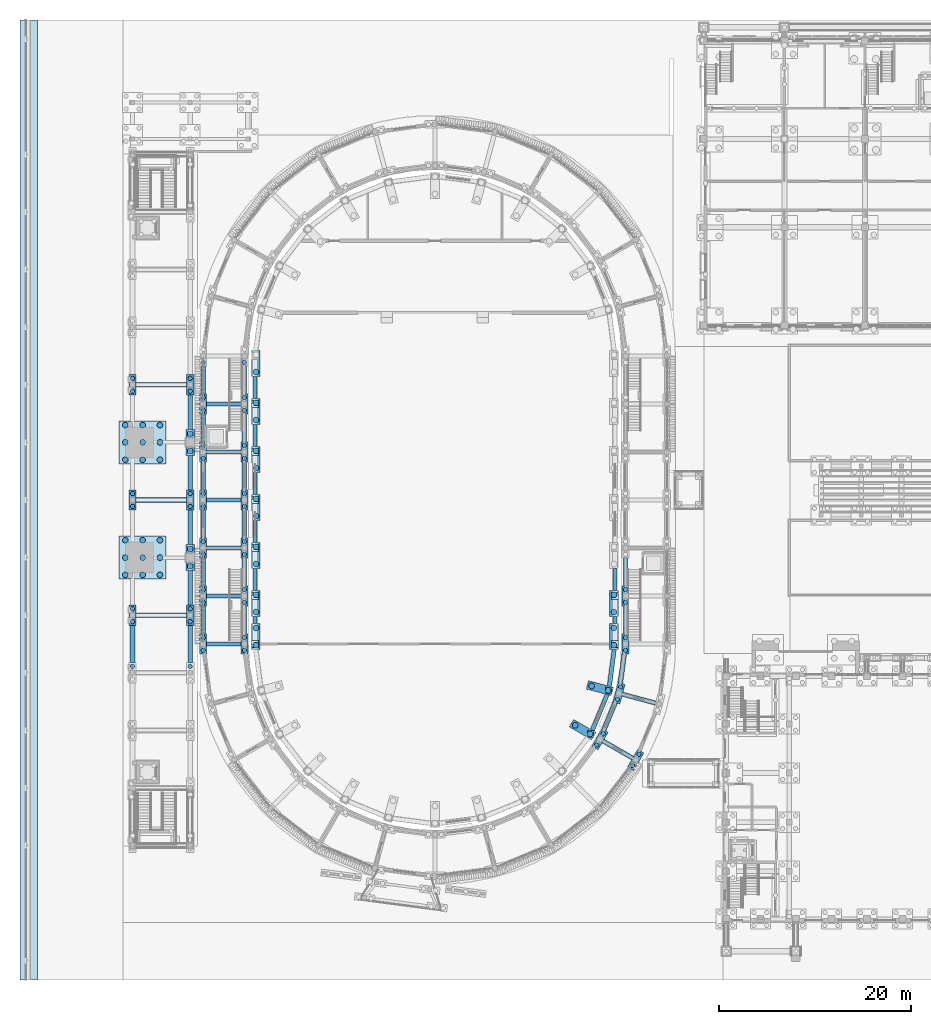
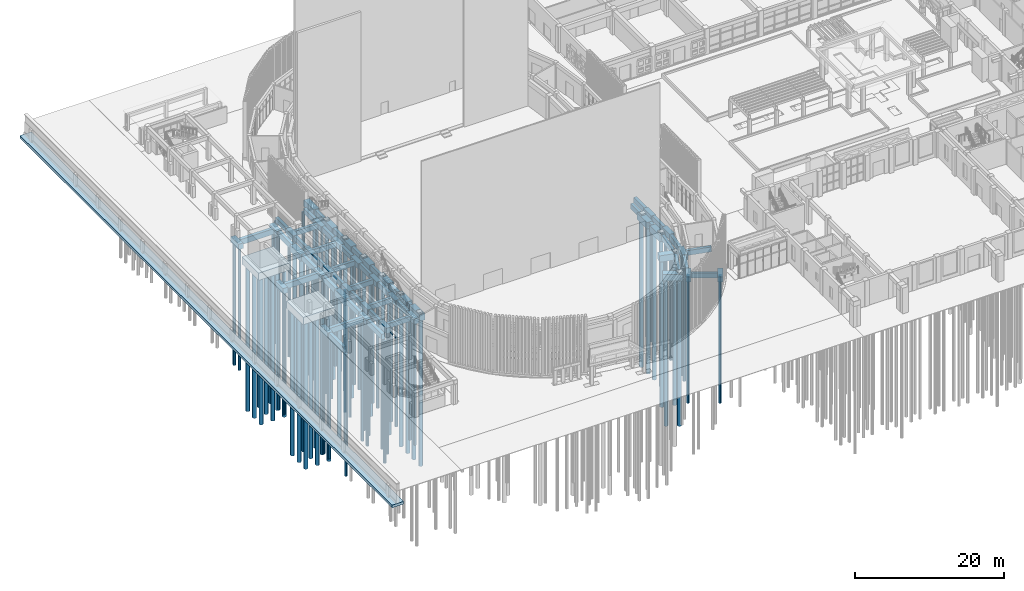
# One storey, part 2 of 112: 93 piles, 92 footings.
"""IFC4 building model written with IfcOpenShell, lengths in metres."""

from ifc_helpers import new_model, si_unit, direction, frame, origin, origin_2d, place, context, subcontext, project, spatial, rectangle, circle, extrude, material, material_profile, profile_set, type_object, element, save


model = new_model("IFC4")

# Units and contexts
model_context = context("Model", 3, precision=1e-05, world=origin(), true_north=direction((0.0, 1.0)))
body_context = subcontext(model_context, "Body", "Model", "MODEL_VIEW")
ifc_project = project(units=[si_unit("LENGTHUNIT", "METRE"), si_unit("AREAUNIT", "SQUARE_METRE"), si_unit("VOLUMEUNIT", "CUBIC_METRE"), si_unit("PLANEANGLEUNIT", "RADIAN"), si_unit("MASSUNIT", "GRAM", prefix="KILO")], contexts=[model_context])

# Site, building, storey
site_placement = place(None, origin())
site = spatial("IfcSite", under=ifc_project, at=site_placement, CompositionType="ELEMENT")
building_placement = place(site_placement, origin())
building = spatial("IfcBuilding", under=site, at=building_placement, Name="Wasatch Bagh Community Centre", CompositionType="ELEMENT")
storey_placement = place(building_placement, origin())
storey = spatial("IfcBuildingStorey", under=building, at=storey_placement, Name="L00", CompositionType="ELEMENT", Elevation=0.0)

# Footings
ifc_material_1 = material(Name="Concrete C30", Category="concrete")
footing_type_1 = type_object("IfcFootingType", Name="CP-F2", PredefinedType="PILE_CAP", material=ifc_material_1)
for number, where, z_axis, x_axis, name in (
    (1, (5.550048828125, 44.0, -1.39990234375), (0.0, 0.0, 1.0), (-1.0, 0.0, 0.0), "Pishtaq pier 1 cap"),
    (2, (5.550048828125, 56.0, -1.39990234375), (0.0, 0.0, 1.0), (-1.0, 0.0, 0.0), "Pishtaq pier 2 cap"),
):
    element("IfcFooting", number, at=place(storey_placement, frame(where, z_axis=z_axis, x_axis=x_axis)), inside=storey, type_object=footing_type_1, Name=name, PredefinedType="PILE_CAP", context=body_context, shape_type="SweptSolid", body=[
        extrude(rectangle(XDim=4.89990234375, YDim=4.5, at=origin_2d()), origin(), (0.0, 0.0, 1.0), 1.199951171875),
    ])
ifc_material_2 = material(Name="Concrete C35", Category="concrete")
footing_type_2 = type_object("IfcFootingType", Name="FD-GB-B", PredefinedType="FOOTING_BEAM", material=ifc_material_2)
for number, where, z_axis, x_axis, name in (
    (3, (55.85009765625, 37.5, -1.0), (0.0, 0.0, 1.0), (0.0, 1.0, 0.0), "GB ground beam 73"),
    (4, (55.85009765625, 42.5, -1.0), (0.0, 0.0, 1.0), (0.0, 1.0, 0.0), "GB ground beam 76"),
):
    element("IfcFooting", number, at=place(storey_placement, frame(where, z_axis=z_axis, x_axis=x_axis)), inside=storey, type_object=footing_type_2, Name=name, PredefinedType="FOOTING_BEAM", context=body_context, shape_type="SweptSolid", body=[
        extrude(rectangle(XDim=2.89990234375, YDim=0.449951171875, at=origin_2d()), origin(), (0.0, 0.0, 1.0), 0.800048828125),
    ])
for number, where, z_axis, x_axis, name in (
    (5, (55.052490234375, 24.0, -1.0), (0.0, 0.0, 1.0), (0.866025403767, -0.50000000003, 0.0), "GB ground beam 115"),
    (6, (57.25048828125, 29.305908203125, -1.0), (0.0, 0.0, 1.0), (0.965925826285, -0.258819045119, 0.0), "GB ground beam 116"),
):
    element("IfcFooting", number, at=place(storey_placement, frame(where, z_axis=z_axis, x_axis=x_axis)), inside=storey, type_object=footing_type_2, Name=name, PredefinedType="FOOTING_BEAM", context=body_context, shape_type="SweptSolid", body=[
        extrude(rectangle(XDim=3.550048828125, YDim=0.449951171875, at=origin_2d()), origin(), (0.0, 0.0, 1.0), 0.800048828125),
    ])
footing_1_placement = place(storey_placement, frame((16.14990234375, 37.5, -1.0), z_axis=(0.0, 0.0, 1.0), x_axis=(0.0, 1.0, 0.0)))
element("IfcFooting", 7, at=footing_1_placement, inside=storey, type_object=footing_type_2, Name="GB ground beam 132", PredefinedType="FOOTING_BEAM", context=body_context, shape_type="SweptSolid", body=[
    extrude(rectangle(XDim=2.89990234375, YDim=0.449951171875, at=origin_2d()), origin(), (0.0, 0.0, 1.0), 0.800048828125),
])
footing_2_placement = place(storey_placement, frame((14.0, 35.0, -1.0), z_axis=(0.0, 0.0, 1.0), x_axis=(-1.0, 0.0, 0.0)))
element("IfcFooting", 8, at=footing_2_placement, inside=storey, type_object=footing_type_2, Name="GB ground beam 133", PredefinedType="FOOTING_BEAM", context=body_context, shape_type="SweptSolid", body=[
    extrude(rectangle(XDim=3.550048828125, YDim=0.449951171875, at=origin_2d()), origin(), (0.0, 0.0, 1.0), 0.800048828125),
])
footing_3_placement = place(storey_placement, frame((16.14990234375, 42.5, -1.0), z_axis=(0.0, 0.0, 1.0), x_axis=(0.0, 1.0, 0.0)))
element("IfcFooting", 9, at=footing_3_placement, inside=storey, type_object=footing_type_2, Name="GB ground beam 134", PredefinedType="FOOTING_BEAM", context=body_context, shape_type="SweptSolid", body=[
    extrude(rectangle(XDim=2.89990234375, YDim=0.449951171875, at=origin_2d()), origin(), (0.0, 0.0, 1.0), 0.800048828125),
])
footing_4_placement = place(storey_placement, frame((14.0, 40.0, -1.0), z_axis=(0.0, 0.0, 1.0), x_axis=(-1.0, 0.0, 0.0)))
element("IfcFooting", 10, at=footing_4_placement, inside=storey, type_object=footing_type_2, Name="GB ground beam 135", PredefinedType="FOOTING_BEAM", context=body_context, shape_type="SweptSolid", body=[
    extrude(rectangle(XDim=3.550048828125, YDim=0.449951171875, at=origin_2d()), origin(), (0.0, 0.0, 1.0), 0.800048828125),
])
footing_5_placement = place(storey_placement, frame((16.14990234375, 47.5, -1.0), z_axis=(0.0, 0.0, 1.0), x_axis=(0.0, 1.0, 0.0)))
element("IfcFooting", 11, at=footing_5_placement, inside=storey, type_object=footing_type_2, Name="GB ground beam 136", PredefinedType="FOOTING_BEAM", context=body_context, shape_type="SweptSolid", body=[
    extrude(rectangle(XDim=2.89990234375, YDim=0.449951171875, at=origin_2d()), origin(), (0.0, 0.0, 1.0), 0.800048828125),
])
footing_6_placement = place(storey_placement, frame((14.0, 45.0, -1.0), z_axis=(0.0, 0.0, 1.0), x_axis=(-1.0, 0.0, 0.0)))
element("IfcFooting", 12, at=footing_6_placement, inside=storey, type_object=footing_type_2, Name="GB ground beam 137", PredefinedType="FOOTING_BEAM", context=body_context, shape_type="SweptSolid", body=[
    extrude(rectangle(XDim=3.550048828125, YDim=0.449951171875, at=origin_2d()), origin(), (0.0, 0.0, 1.0), 0.800048828125),
])
footing_7_placement = place(storey_placement, frame((16.14990234375, 52.5, -1.0), z_axis=(0.0, 0.0, 1.0), x_axis=(0.0, 1.0, 0.0)))
element("IfcFooting", 13, at=footing_7_placement, inside=storey, type_object=footing_type_2, Name="GB ground beam 138", PredefinedType="FOOTING_BEAM", context=body_context, shape_type="SweptSolid", body=[
    extrude(rectangle(XDim=2.89990234375, YDim=0.449951171875, at=origin_2d()), origin(), (0.0, 0.0, 1.0), 0.800048828125),
])
footing_8_placement = place(storey_placement, frame((14.0, 50.0, -1.0), z_axis=(0.0, 0.0, 1.0), x_axis=(-1.0, 0.0, 0.0)))
element("IfcFooting", 14, at=footing_8_placement, inside=storey, type_object=footing_type_2, Name="GB ground beam 139", PredefinedType="FOOTING_BEAM", context=body_context, shape_type="SweptSolid", body=[
    extrude(rectangle(XDim=3.550048828125, YDim=0.449951171875, at=origin_2d()), origin(), (0.0, 0.0, 1.0), 0.800048828125),
])
footing_9_placement = place(storey_placement, frame((16.14990234375, 57.5, -1.0), z_axis=(0.0, 0.0, 1.0), x_axis=(0.0, 1.0, 0.0)))
element("IfcFooting", 15, at=footing_9_placement, inside=storey, type_object=footing_type_2, Name="GB ground beam 140", PredefinedType="FOOTING_BEAM", context=body_context, shape_type="SweptSolid", body=[
    extrude(rectangle(XDim=2.89990234375, YDim=0.449951171875, at=origin_2d()), origin(), (0.0, 0.0, 1.0), 0.800048828125),
])
footing_10_placement = place(storey_placement, frame((14.0, 55.0, -1.0), z_axis=(0.0, 0.0, 1.0), x_axis=(-1.0, 0.0, 0.0)))
element("IfcFooting", 16, at=footing_10_placement, inside=storey, type_object=footing_type_2, Name="GB ground beam 141", PredefinedType="FOOTING_BEAM", context=body_context, shape_type="SweptSolid", body=[
    extrude(rectangle(XDim=3.550048828125, YDim=0.449951171875, at=origin_2d()), origin(), (0.0, 0.0, 1.0), 0.800048828125),
])
footing_11_placement = place(storey_placement, frame((16.14990234375, 62.5, -1.0), z_axis=(0.0, 0.0, 1.0), x_axis=(0.0, 1.0, 0.0)))
element("IfcFooting", 17, at=footing_11_placement, inside=storey, type_object=footing_type_2, Name="GB ground beam 142", PredefinedType="FOOTING_BEAM", context=body_context, shape_type="SweptSolid", body=[
    extrude(rectangle(XDim=2.89990234375, YDim=0.449951171875, at=origin_2d()), origin(), (0.0, 0.0, 1.0), 0.800048828125),
])
footing_12_placement = place(storey_placement, frame((14.0, 60.0, -1.0), z_axis=(0.0, 0.0, 1.0), x_axis=(-1.0, 0.0, 0.0)))
element("IfcFooting", 18, at=footing_12_placement, inside=storey, type_object=footing_type_2, Name="GB ground beam 143", PredefinedType="FOOTING_BEAM", context=body_context, shape_type="SweptSolid", body=[
    extrude(rectangle(XDim=3.550048828125, YDim=0.449951171875, at=origin_2d()), origin(), (0.0, 0.0, 1.0), 0.800048828125),
])
for number, where, z_axis, x_axis, name in (
    (19, (11.85009765625, 37.5, -1.0), (0.0, 0.0, 1.0), (0.0, 1.0, 0.0), "GB ground beam 151"),
    (20, (11.85009765625, 42.5, -1.0), (0.0, 0.0, 1.0), (0.0, 1.0, 0.0), "GB ground beam 152"),
    (21, (11.85009765625, 47.5, -1.0), (0.0, 0.0, 1.0), (0.0, 1.0, 0.0), "GB ground beam 153"),
    (22, (11.85009765625, 52.5, -1.0), (0.0, 0.0, 1.0), (0.0, 1.0, 0.0), "GB ground beam 154"),
    (23, (11.85009765625, 57.5, -1.0), (0.0, 0.0, 1.0), (0.0, 1.0, 0.0), "GB ground beam 155"),
    (24, (11.85009765625, 62.5, -1.0), (0.0, 0.0, 1.0), (0.0, 1.0, 0.0), "GB ground beam 156"),
):
    element("IfcFooting", number, at=place(storey_placement, frame(where, z_axis=z_axis, x_axis=x_axis)), inside=storey, type_object=footing_type_2, Name=name, PredefinedType="FOOTING_BEAM", context=body_context, shape_type="SweptSolid", body=[
        extrude(rectangle(XDim=2.89990234375, YDim=0.449951171875, at=origin_2d()), origin(), (0.0, 0.0, 1.0), 0.800048828125),
    ])
footing_13_placement = place(storey_placement, frame((54.75, 37.5, -1.0), z_axis=(0.0, 0.0, 1.0), x_axis=(0.0, 1.0, 0.0)))
element("IfcFooting", 25, at=footing_13_placement, inside=storey, type_object=footing_type_2, Name="GB ground beam 224", PredefinedType="FOOTING_BEAM", context=body_context, shape_type="SweptSolid", body=[
    extrude(rectangle(XDim=0.75, YDim=0.449951171875, at=origin_2d()), origin(), (0.0, 0.0, 1.0), 0.800048828125),
])
footing_14_placement = place(storey_placement, frame((54.42236328125, 32.51220703125, -1.0), z_axis=(0.0, 0.0, 1.0), x_axis=(-0.130526192203, -0.991444861376, 0.0)))
element("IfcFooting", 26, at=footing_14_placement, inside=storey, type_object=footing_type_2, Name="GB ground beam 225", PredefinedType="FOOTING_BEAM", context=body_context, shape_type="SweptSolid", body=[
    extrude(rectangle(XDim=3.85888671875, YDim=0.449951171875, at=origin_2d()), origin(), (0.0, 0.0, 1.0), 0.800048828125),
])
footing_15_placement = place(storey_placement, frame((54.75, 41.72509765625, -1.0), z_axis=(0.0, 0.0, 1.0), x_axis=(0.0, 1.0, 0.0)))
element("IfcFooting", 27, at=footing_15_placement, inside=storey, type_object=footing_type_2, Name="GB ground beam 226", PredefinedType="FOOTING_BEAM", context=body_context, shape_type="SweptSolid", body=[
    extrude(rectangle(XDim=2.300048828125, YDim=0.449951171875, at=origin_2d()), origin(), (0.0, 0.0, 1.0), 0.800048828125),
])
footing_16_placement = place(storey_placement, frame((53.168212890625, 27.87060546875, -1.0), z_axis=(0.0, 0.0, 1.0), x_axis=(0.382683432397, 0.923879532498, 0.0)))
element("IfcFooting", 28, at=footing_16_placement, inside=storey, type_object=footing_type_2, Name="GB ground beam 245", PredefinedType="FOOTING_BEAM", context=body_context, shape_type="SweptSolid", body=[
    extrude(rectangle(XDim=4.024658203125, YDim=0.449951171875, at=origin_2d()), origin(), (0.0, 0.0, 1.0), 0.800048828125),
])
footing_17_placement = place(storey_placement, frame((17.25, 37.5, -1.0), z_axis=(0.0, 0.0, 1.0), x_axis=(0.0, 1.0, 0.0)))
element("IfcFooting", 29, at=footing_17_placement, inside=storey, type_object=footing_type_2, Name="GB ground beam 254", PredefinedType="FOOTING_BEAM", context=body_context, shape_type="SweptSolid", body=[
    extrude(rectangle(XDim=0.75, YDim=0.449951171875, at=origin_2d()), origin(), (0.0, 0.0, 1.0), 0.800048828125),
])
for number, where, z_axis, x_axis, name in (
    (30, (17.25, 41.72509765625, -1.0), (0.0, 0.0, 1.0), (0.0, 1.0, 0.0), "GB ground beam 255"),
    (31, (17.25, 46.72509765625, -1.0), (0.0, 0.0, 1.0), (0.0, 1.0, 0.0), "GB ground beam 256"),
    (32, (17.25, 51.72509765625, -1.0), (0.0, 0.0, 1.0), (0.0, 1.0, 0.0), "GB ground beam 257"),
    (33, (17.25, 56.72509765625, -1.0), (0.0, 0.0, 1.0), (0.0, 1.0, 0.0), "GB ground beam 258"),
    (34, (17.25, 61.72509765625, -1.0), (0.0, 0.0, 1.0), (0.0, 1.0, 0.0), "GB ground beam 259"),
):
    element("IfcFooting", number, at=place(storey_placement, frame(where, z_axis=z_axis, x_axis=x_axis)), inside=storey, type_object=footing_type_2, Name=name, PredefinedType="FOOTING_BEAM", context=body_context, shape_type="SweptSolid", body=[
        extrude(rectangle(XDim=2.300048828125, YDim=0.449951171875, at=origin_2d()), origin(), (0.0, 0.0, 1.0), 0.800048828125),
    ])
footing_type_3 = type_object("IfcFootingType", Name="FD-GB-C", PredefinedType="FOOTING_BEAM", material=ifc_material_2)
for number, where, z_axis, x_axis, name in (
    (35, (10.5, 40.85009765625, -1.099853515625), (0.0, 0.0, 1.0), (0.0, -1.0, 0.0), "GB ground beam 13"),
    (36, (10.5, 47.14990234375, -1.099853515625), (0.0, 0.0, 1.0), (0.0, 1.0, 0.0), "GB ground beam 14"),
    (37, (10.5, 52.85009765625, -1.099853515625), (0.0, 0.0, 1.0), (0.0, -1.0, 0.0), "GB ground beam 15"),
    (38, (10.5, 59.14990234375, -1.099853515625), (0.0, 0.0, 1.0), (0.0, 1.0, 0.0), "GB ground beam 16"),
):
    element("IfcFooting", number, at=place(storey_placement, frame(where, z_axis=z_axis, x_axis=x_axis)), inside=storey, type_object=footing_type_3, Name=name, PredefinedType="FOOTING_BEAM", context=body_context, shape_type="SweptSolid", body=[
        extrude(rectangle(XDim=3.60009765625, YDim=0.5, at=origin_2d()), origin(), (0.0, 0.0, 1.0), 0.89990234375),
    ])
for number, where, z_axis, x_axis, name in (
    (39, (4.5, 35.0, -1.099853515625), (0.0, 0.0, 1.0), (0.0, 1.0, 0.0), "GB ground beam 25"),
    (40, (10.5, 35.0, -1.099853515625), (0.0, 0.0, 1.0), (0.0, 1.0, 0.0), "GB ground beam 26"),
):
    element("IfcFooting", number, at=place(storey_placement, frame(where, z_axis=z_axis, x_axis=x_axis)), inside=storey, type_object=footing_type_3, Name=name, PredefinedType="FOOTING_BEAM", context=body_context, shape_type="SweptSolid", body=[
        extrude(rectangle(XDim=3.89990234375, YDim=0.5, at=origin_2d()), origin(), (0.0, 0.0, 1.0), 0.89990234375),
    ])
for number, where, z_axis, x_axis, name in (
    (41, (7.5, 38.0, -1.099853515625), (0.0, 0.0, 1.0), (1.0, 0.0, 0.0), "GB ground beam 27"),
    (42, (7.5, 50.0, -1.099853515625), (0.0, 0.0, 1.0), (1.0, 0.0, 0.0), "GB ground beam 28"),
    (43, (7.5, 62.0, -1.099853515625), (0.0, 0.0, 1.0), (1.0, 0.0, 0.0), "GB ground beam 29"),
):
    element("IfcFooting", number, at=place(storey_placement, frame(where, z_axis=z_axis, x_axis=x_axis)), inside=storey, type_object=footing_type_3, Name=name, PredefinedType="FOOTING_BEAM", context=body_context, shape_type="SweptSolid", body=[
        extrude(rectangle(XDim=5.25, YDim=0.5, at=origin_2d()), origin(), (0.0, 0.0, 1.0), 0.89990234375),
    ])
for number, where, z_axis, x_axis, name in (
    (44, (55.51171875, 32.43115234375, -1.099853515625), (0.0, 0.0, 1.0), (-0.130526192203, -0.991444861376, 0.0), "GB ground beam 74"),
    (45, (54.18212890625, 27.46875, -1.099853515625), (0.0, 0.0, 1.0), (0.382683432397, 0.923879532498, 0.0), "GB ground beam 113"),
):
    element("IfcFooting", number, at=place(storey_placement, frame(where, z_axis=z_axis, x_axis=x_axis)), inside=storey, type_object=footing_type_3, Name=name, PredefinedType="FOOTING_BEAM", context=body_context, shape_type="SweptSolid", body=[
        extrude(rectangle(XDim=3.063720703125, YDim=0.5, at=origin_2d()), origin(), (0.0, 0.0, 1.0), 0.89990234375),
    ])

# Piles
ifc_material_profile_1 = material_profile(ifc_material_1, circle(Radius=0.22509765625, at=origin_2d()), Name="RC D450")
ifc_profile_set_1 = profile_set([ifc_material_profile_1], Name="Concrete C30")
pile_type_1 = type_object("IfcPileType", Name="FD-P450", PredefinedType="BORED", material=ifc_profile_set_1)
for number, where, z_axis, x_axis, name in (
    (46, (4.5, 32.675048828125, -1.10009765625), (0.0, 0.0, -1.0), (1.0, 0.0, 0.0), "P pile 33.2"),
    (47, (10.5, 32.675048828125, -1.10009765625), (0.0, 0.0, -1.0), (1.0, 0.0, 0.0), "P pile 34.2"),
    (48, (4.5, 37.324951171875, -1.10009765625), (0.0, 0.0, -1.0), (1.0, 0.0, 0.0), "P pile 35.1"),
    (49, (4.5, 38.675048828125, -1.10009765625), (0.0, 0.0, -1.0), (1.0, 0.0, 0.0), "P pile 35.2"),
    (50, (10.5, 37.324951171875, -1.10009765625), (0.0, 0.0, -1.0), (1.0, 0.0, 0.0), "P pile 36.1"),
    (51, (10.5, 38.675048828125, -1.10009765625), (0.0, 0.0, -1.0), (1.0, 0.0, 0.0), "P pile 36.2"),
    (52, (4.5, 49.324951171875, -1.10009765625), (0.0, 0.0, -1.0), (1.0, 0.0, 0.0), "P pile 37.1"),
    (53, (4.5, 50.675048828125, -1.10009765625), (0.0, 0.0, -1.0), (1.0, 0.0, 0.0), "P pile 37.2"),
    (54, (10.5, 49.324951171875, -1.10009765625), (0.0, 0.0, -1.0), (1.0, 0.0, 0.0), "P pile 38.1"),
    (55, (10.5, 50.675048828125, -1.10009765625), (0.0, 0.0, -1.0), (1.0, 0.0, 0.0), "P pile 38.2"),
    (56, (4.5, 61.324951171875, -1.10009765625), (0.0, 0.0, -1.0), (1.0, 0.0, 0.0), "P pile 39.1"),
    (57, (4.5, 62.675048828125, -1.10009765625), (0.0, 0.0, -1.0), (1.0, 0.0, 0.0), "P pile 39.2"),
    (58, (10.5, 61.324951171875, -1.10009765625), (0.0, 0.0, -1.0), (1.0, 0.0, 0.0), "P pile 40.1"),
    (59, (10.5, 62.675048828125, -1.10009765625), (0.0, 0.0, -1.0), (1.0, 0.0, 0.0), "P pile 40.2"),
    (60, (56.576904296875, 22.34033203125, -1.10009765625), (0.0, 0.0, -1.0), (1.0, 0.0, 0.0), "P pile 94.1"),
    (61, (57.251953125, 23.509521484375, -1.10009765625), (0.0, 0.0, -1.0), (1.0, 0.0, 0.0), "P pile 94.2"),
    (62, (52.85302734375, 24.490478515625, -1.10009765625), (0.0, 0.0, -1.0), (1.0, 0.0, 0.0), "P pile 96.1"),
    (63, (53.528076171875, 25.65966796875, -1.10009765625), (0.0, 0.0, -1.0), (1.0, 0.0, 0.0), "P pile 96.2"),
    (64, (54.9990234375, 29.21044921875, -1.10009765625), (0.0, 0.0, -1.0), (1.0, 0.0, 0.0), "P pile 100.1"),
    (65, (55.348388671875, 30.514404296875, -1.10009765625), (0.0, 0.0, -1.0), (1.0, 0.0, 0.0), "P pile 100.2"),
    (66, (11.85009765625, 34.324951171875, -1.10009765625), (0.0, 0.0, -1.0), (1.0, 0.0, 0.0), "P pile 101.1"),
    (67, (11.85009765625, 35.675048828125, -1.10009765625), (0.0, 0.0, -1.0), (1.0, 0.0, 0.0), "P pile 101.2"),
    (68, (16.14990234375, 34.324951171875, -1.10009765625), (0.0, 0.0, -1.0), (1.0, 0.0, 0.0), "P pile 102.1"),
    (69, (16.14990234375, 35.675048828125, -1.10009765625), (0.0, 0.0, -1.0), (1.0, 0.0, 0.0), "P pile 102.2"),
    (70, (55.85009765625, 34.324951171875, -1.10009765625), (0.0, 0.0, -1.0), (1.0, 0.0, 0.0), "P pile 103.1"),
    (71, (55.85009765625, 35.675048828125, -1.10009765625), (0.0, 0.0, -1.0), (1.0, 0.0, 0.0), "P pile 103.2"),
    (72, (11.85009765625, 39.324951171875, -1.10009765625), (0.0, 0.0, -1.0), (1.0, 0.0, 0.0), "P pile 105.1"),
    (73, (11.85009765625, 40.675048828125, -1.10009765625), (0.0, 0.0, -1.0), (1.0, 0.0, 0.0), "P pile 105.2"),
    (74, (16.14990234375, 39.324951171875, -1.10009765625), (0.0, 0.0, -1.0), (1.0, 0.0, 0.0), "P pile 106.1"),
    (75, (16.14990234375, 40.675048828125, -1.10009765625), (0.0, 0.0, -1.0), (1.0, 0.0, 0.0), "P pile 106.2"),
    (76, (55.85009765625, 39.324951171875, -1.10009765625), (0.0, 0.0, -1.0), (1.0, 0.0, 0.0), "P pile 107.1"),
    (77, (55.85009765625, 40.675048828125, -1.10009765625), (0.0, 0.0, -1.0), (1.0, 0.0, 0.0), "P pile 107.2"),
    (78, (11.85009765625, 44.324951171875, -1.10009765625), (0.0, 0.0, -1.0), (1.0, 0.0, 0.0), "P pile 109.1"),
    (79, (11.85009765625, 45.675048828125, -1.10009765625), (0.0, 0.0, -1.0), (1.0, 0.0, 0.0), "P pile 109.2"),
    (80, (16.14990234375, 44.324951171875, -1.10009765625), (0.0, 0.0, -1.0), (1.0, 0.0, 0.0), "P pile 110.1"),
    (81, (16.14990234375, 45.675048828125, -1.10009765625), (0.0, 0.0, -1.0), (1.0, 0.0, 0.0), "P pile 110.2"),
    (82, (11.85009765625, 49.324951171875, -1.10009765625), (0.0, 0.0, -1.0), (1.0, 0.0, 0.0), "P pile 113.1"),
    (83, (11.85009765625, 50.675048828125, -1.10009765625), (0.0, 0.0, -1.0), (1.0, 0.0, 0.0), "P pile 113.2"),
    (84, (16.14990234375, 49.324951171875, -1.10009765625), (0.0, 0.0, -1.0), (1.0, 0.0, 0.0), "P pile 114.1"),
    (85, (16.14990234375, 50.675048828125, -1.10009765625), (0.0, 0.0, -1.0), (1.0, 0.0, 0.0), "P pile 114.2"),
    (86, (11.85009765625, 54.324951171875, -1.10009765625), (0.0, 0.0, -1.0), (1.0, 0.0, 0.0), "P pile 117.1"),
    (87, (11.85009765625, 55.675048828125, -1.10009765625), (0.0, 0.0, -1.0), (1.0, 0.0, 0.0), "P pile 117.2"),
    (88, (16.14990234375, 54.324951171875, -1.10009765625), (0.0, 0.0, -1.0), (1.0, 0.0, 0.0), "P pile 118.1"),
    (89, (16.14990234375, 55.675048828125, -1.10009765625), (0.0, 0.0, -1.0), (1.0, 0.0, 0.0), "P pile 118.2"),
    (90, (11.85009765625, 59.324951171875, -1.10009765625), (0.0, 0.0, -1.0), (1.0, 0.0, 0.0), "P pile 121.1"),
    (91, (11.85009765625, 60.675048828125, -1.10009765625), (0.0, 0.0, -1.0), (1.0, 0.0, 0.0), "P pile 121.2"),
    (92, (16.14990234375, 59.324951171875, -1.10009765625), (0.0, 0.0, -1.0), (1.0, 0.0, 0.0), "P pile 122.1"),
    (93, (16.14990234375, 60.675048828125, -1.10009765625), (0.0, 0.0, -1.0), (1.0, 0.0, 0.0), "P pile 122.2"),
    (94, (11.85009765625, 64.324951171875, -1.10009765625), (0.0, 0.0, -1.0), (1.0, 0.0, 0.0), "P pile 125.1"),
    (95, (16.14990234375, 64.324951171875, -1.10009765625), (0.0, 0.0, -1.0), (1.0, 0.0, 0.0), "P pile 126.1"),
):
    element("IfcPile", number, at=place(storey_placement, frame(where, z_axis=z_axis, x_axis=x_axis)), inside=storey, type_object=pile_type_1, Name=name, PredefinedType="BORED", context=body_context, shape_type="SweptSolid", body=[
        extrude(circle(Radius=0.22509765625, at=origin_2d()), origin(), (0.0, 0.0, 1.0), 20.0),
    ])
ifc_material_profile_2 = material_profile(ifc_material_1, circle(Radius=0.300048828125, at=origin_2d()), Name="RC D600")
ifc_profile_set_2 = profile_set([ifc_material_profile_2], Name="Concrete C30")
pile_type_2 = type_object("IfcPileType", Name="FD-P600", PredefinedType="BORED", material=ifc_profile_set_2)
for number, where, z_axis, x_axis, name in (
    (96, (7.35009765625, 42.199951171875, -1.39990234375), (0.0, 0.0, -1.0), (1.0, 0.0, 0.0), "CP.pile.L00.PIER1.1"),
    (97, (7.35009765625, 44.0, -1.39990234375), (0.0, 0.0, -1.0), (1.0, 0.0, 0.0), "CP.pile.L00.PIER1.2"),
    (98, (7.35009765625, 45.800048828125, -1.39990234375), (0.0, 0.0, -1.0), (1.0, 0.0, 0.0), "CP.pile.L00.PIER1.3"),
    (99, (5.550048828125, 42.199951171875, -1.39990234375), (0.0, 0.0, -1.0), (1.0, 0.0, 0.0), "CP.pile.L00.PIER1.4"),
    (100, (5.550048828125, 44.0, -1.39990234375), (0.0, 0.0, -1.0), (1.0, 0.0, 0.0), "CP.pile.L00.PIER1.5"),
    (101, (5.550048828125, 45.800048828125, -1.39990234375), (0.0, 0.0, -1.0), (1.0, 0.0, 0.0), "CP.pile.L00.PIER1.6"),
    (102, (3.75, 42.199951171875, -1.39990234375), (0.0, 0.0, -1.0), (1.0, 0.0, 0.0), "CP.pile.L00.PIER1.7"),
    (103, (3.75, 44.0, -1.39990234375), (0.0, 0.0, -1.0), (1.0, 0.0, 0.0), "CP.pile.L00.PIER1.8"),
    (104, (3.75, 45.800048828125, -1.39990234375), (0.0, 0.0, -1.0), (1.0, 0.0, 0.0), "CP.pile.L00.PIER1.9"),
    (105, (7.35009765625, 54.199951171875, -1.39990234375), (0.0, 0.0, -1.0), (1.0, 0.0, 0.0), "CP.pile.L00.PIER2.1"),
    (106, (7.35009765625, 56.0, -1.39990234375), (0.0, 0.0, -1.0), (1.0, 0.0, 0.0), "CP.pile.L00.PIER2.2"),
    (107, (7.35009765625, 57.800048828125, -1.39990234375), (0.0, 0.0, -1.0), (1.0, 0.0, 0.0), "CP.pile.L00.PIER2.3"),
    (108, (5.550048828125, 54.199951171875, -1.39990234375), (0.0, 0.0, -1.0), (1.0, 0.0, 0.0), "CP.pile.L00.PIER2.4"),
    (109, (5.550048828125, 56.0, -1.39990234375), (0.0, 0.0, -1.0), (1.0, 0.0, 0.0), "CP.pile.L00.PIER2.5"),
    (110, (5.550048828125, 57.800048828125, -1.39990234375), (0.0, 0.0, -1.0), (1.0, 0.0, 0.0), "CP.pile.L00.PIER2.6"),
    (111, (3.75, 54.199951171875, -1.39990234375), (0.0, 0.0, -1.0), (1.0, 0.0, 0.0), "CP.pile.L00.PIER2.7"),
    (112, (3.75, 56.0, -1.39990234375), (0.0, 0.0, -1.0), (1.0, 0.0, 0.0), "CP.pile.L00.PIER2.8"),
    (113, (3.75, 57.800048828125, -1.39990234375), (0.0, 0.0, -1.0), (1.0, 0.0, 0.0), "CP.pile.L00.PIER2.9"),
    (114, (10.5, 43.10009765625, -1.25), (0.0, 0.0, -1.0), (1.0, 0.0, 0.0), "P pile 25.1"),
    (115, (10.5, 44.89990234375, -1.25), (0.0, 0.0, -1.0), (1.0, 0.0, 0.0), "P pile 25.2"),
    (116, (10.5, 55.10009765625, -1.25), (0.0, 0.0, -1.0), (1.0, 0.0, 0.0), "P pile 26.1"),
    (117, (10.5, 56.89990234375, -1.25), (0.0, 0.0, -1.0), (1.0, 0.0, 0.0), "P pile 26.2"),
    (118, (52.16748046875, 25.625, -1.25), (0.0, 0.0, -1.0), (1.0, 0.0, 0.0), "P pile 219.1"),
    (119, (50.608642578125, 26.52490234375, -1.25), (0.0, 0.0, -1.0), (1.0, 0.0, 0.0), "P pile 219.2"),
    (120, (54.055419921875, 30.164306640625, -1.25), (0.0, 0.0, -1.0), (1.0, 0.0, 0.0), "P pile 221.1"),
    (121, (52.31689453125, 30.630126953125, -1.25), (0.0, 0.0, -1.0), (1.0, 0.0, 0.0), "P pile 221.2"),
    (122, (17.35009765625, 34.875, -1.25), (0.0, 0.0, -1.0), (1.0, 0.0, 0.0), "P pile 222.1"),
    (123, (17.35009765625, 36.675048828125, -1.25), (0.0, 0.0, -1.0), (1.0, 0.0, 0.0), "P pile 222.2"),
    (124, (54.64990234375, 34.875, -1.25), (0.0, 0.0, -1.0), (1.0, 0.0, 0.0), "P pile 223.1"),
    (125, (54.64990234375, 36.675048828125, -1.25), (0.0, 0.0, -1.0), (1.0, 0.0, 0.0), "P pile 223.2"),
    (126, (17.35009765625, 38.324951171875, -1.25), (0.0, 0.0, -1.0), (1.0, 0.0, 0.0), "P pile 224.1"),
    (127, (17.35009765625, 40.125, -1.25), (0.0, 0.0, -1.0), (1.0, 0.0, 0.0), "P pile 224.2"),
    (128, (54.64990234375, 38.324951171875, -1.25), (0.0, 0.0, -1.0), (1.0, 0.0, 0.0), "P pile 225.1"),
    (129, (54.64990234375, 40.125, -1.25), (0.0, 0.0, -1.0), (1.0, 0.0, 0.0), "P pile 225.2"),
    (130, (17.35009765625, 43.324951171875, -1.25), (0.0, 0.0, -1.0), (1.0, 0.0, 0.0), "P pile 226.1"),
    (131, (17.35009765625, 45.125, -1.25), (0.0, 0.0, -1.0), (1.0, 0.0, 0.0), "P pile 226.2"),
    (132, (17.35009765625, 48.324951171875, -1.25), (0.0, 0.0, -1.0), (1.0, 0.0, 0.0), "P pile 228.1"),
    (133, (17.35009765625, 50.125, -1.25), (0.0, 0.0, -1.0), (1.0, 0.0, 0.0), "P pile 228.2"),
    (134, (17.35009765625, 53.324951171875, -1.25), (0.0, 0.0, -1.0), (1.0, 0.0, 0.0), "P pile 230.1"),
    (135, (17.35009765625, 55.125, -1.25), (0.0, 0.0, -1.0), (1.0, 0.0, 0.0), "P pile 230.2"),
    (136, (17.35009765625, 58.324951171875, -1.25), (0.0, 0.0, -1.0), (1.0, 0.0, 0.0), "P pile 232.1"),
    (137, (17.35009765625, 60.125, -1.25), (0.0, 0.0, -1.0), (1.0, 0.0, 0.0), "P pile 232.2"),
    (138, (17.35009765625, 63.324951171875, -1.25), (0.0, 0.0, -1.0), (1.0, 0.0, 0.0), "P pile 234.1"),
):
    element("IfcPile", number, at=place(storey_placement, frame(where, z_axis=z_axis, x_axis=x_axis)), inside=storey, type_object=pile_type_2, Name=name, PredefinedType="BORED", context=body_context, shape_type="SweptSolid", body=[
        extrude(circle(Radius=0.300048828125, at=origin_2d()), origin(), (0.0, 0.0, 1.0), 24.0),
    ])

# Footings
footing_type_4 = type_object("IfcFootingType", Name="FD-PC2", PredefinedType="PILE_CAP", material=ifc_material_1)
for number, where, z_axis, x_axis, name in (
    (139, (4.5, 38.0, -1.099853515625), (0.0, 0.0, 1.0), (0.0, 1.0, 0.0), "PC cap 35"),
    (140, (10.5, 38.0, -1.099853515625), (0.0, 0.0, 1.0), (0.0, 1.0, 0.0), "PC cap 36"),
    (141, (4.5, 50.0, -1.099853515625), (0.0, 0.0, 1.0), (0.0, 1.0, 0.0), "PC cap 37"),
    (142, (10.5, 50.0, -1.099853515625), (0.0, 0.0, 1.0), (0.0, 1.0, 0.0), "PC cap 38"),
    (143, (4.5, 62.0, -1.099853515625), (0.0, 0.0, 1.0), (0.0, 1.0, 0.0), "PC cap 39"),
    (144, (10.5, 62.0, -1.099853515625), (0.0, 0.0, 1.0), (0.0, 1.0, 0.0), "PC cap 40"),
    (145, (56.91455078125, 22.925048828125, -1.099853515625), (0.0, 0.0, 1.0), (0.5, 0.866025403784, 0.0), "PC cap 94"),
    (146, (53.190673828125, 25.074951171875, -1.099853515625), (0.0, 0.0, 1.0), (0.5, 0.866025403784, 0.0), "PC cap 96"),
    (147, (55.173583984375, 29.862548828125, -1.099853515625), (0.0, 0.0, 1.0), (0.258819045086, 0.965925826294, 0.0), "PC cap 100"),
    (148, (11.85009765625, 35.0, -1.099853515625), (0.0, 0.0, 1.0), (0.0, 1.0, 0.0), "PC cap 101"),
    (149, (16.14990234375, 35.0, -1.099853515625), (0.0, 0.0, 1.0), (0.0, 1.0, 0.0), "PC cap 102"),
    (150, (55.85009765625, 35.0, -1.099853515625), (0.0, 0.0, 1.0), (0.0, 1.0, 0.0), "PC cap 103"),
    (151, (11.85009765625, 40.0, -1.099853515625), (0.0, 0.0, 1.0), (0.0, 1.0, 0.0), "PC cap 105"),
    (152, (16.14990234375, 40.0, -1.099853515625), (0.0, 0.0, 1.0), (0.0, 1.0, 0.0), "PC cap 106"),
    (153, (55.85009765625, 40.0, -1.099853515625), (0.0, 0.0, 1.0), (0.0, 1.0, 0.0), "PC cap 107"),
    (154, (11.85009765625, 45.0, -1.099853515625), (0.0, 0.0, 1.0), (0.0, 1.0, 0.0), "PC cap 109"),
    (155, (16.14990234375, 45.0, -1.099853515625), (0.0, 0.0, 1.0), (0.0, 1.0, 0.0), "PC cap 110"),
    (156, (11.85009765625, 50.0, -1.099853515625), (0.0, 0.0, 1.0), (0.0, 1.0, 0.0), "PC cap 113"),
    (157, (16.14990234375, 50.0, -1.099853515625), (0.0, 0.0, 1.0), (0.0, 1.0, 0.0), "PC cap 114"),
    (158, (11.85009765625, 55.0, -1.099853515625), (0.0, 0.0, 1.0), (0.0, 1.0, 0.0), "PC cap 117"),
    (159, (16.14990234375, 55.0, -1.099853515625), (0.0, 0.0, 1.0), (0.0, 1.0, 0.0), "PC cap 118"),
    (160, (11.85009765625, 60.0, -1.099853515625), (0.0, 0.0, 1.0), (0.0, 1.0, 0.0), "PC cap 121"),
    (161, (16.14990234375, 60.0, -1.099853515625), (0.0, 0.0, 1.0), (0.0, 1.0, 0.0), "PC cap 122"),
):
    element("IfcFooting", number, at=place(storey_placement, frame(where, z_axis=z_axis, x_axis=x_axis)), inside=storey, type_object=footing_type_4, Name=name, PredefinedType="PILE_CAP", context=body_context, shape_type="SweptSolid", body=[
        extrude(rectangle(XDim=2.10009765625, YDim=0.75, at=origin_2d()), origin(), (0.0, 0.0, 1.0), 0.89990234375),
    ])
footing_type_5 = type_object("IfcFootingType", Name="FD-PC3", PredefinedType="PILE_CAP", material=ifc_material_1)
for number, where, z_axis, x_axis, name in (
    (162, (10.5, 44.0, -1.25), (0.0, 0.0, 1.0), (0.0, 1.0, 0.0), "PC cap 25"),
    (163, (10.5, 56.0, -1.25), (0.0, 0.0, 1.0), (0.0, 1.0, 0.0), "PC cap 26"),
    (164, (51.387939453125, 26.074951171875, -1.25), (0.0, 0.0, 1.0), (-0.866025403784, 0.5, 0.0), "PC cap 219"),
    (165, (53.18603515625, 30.397216796875, -1.25), (0.0, 0.0, 1.0), (-0.965925826285, 0.258819045119, 0.0), "PC cap 221"),
    (166, (17.35009765625, 35.77490234375, -1.25), (0.0, 0.0, 1.0), (0.0, 1.0, 0.0), "PC cap 222"),
    (167, (54.64990234375, 35.77490234375, -1.25), (0.0, 0.0, 1.0), (0.0, 1.0, 0.0), "PC cap 223"),
    (168, (17.35009765625, 39.22509765625, -1.25), (0.0, 0.0, 1.0), (0.0, 1.0, 0.0), "PC cap 224"),
    (169, (54.64990234375, 39.22509765625, -1.25), (0.0, 0.0, 1.0), (0.0, 1.0, 0.0), "PC cap 225"),
    (170, (17.35009765625, 44.22509765625, -1.25), (0.0, 0.0, 1.0), (0.0, 1.0, 0.0), "PC cap 226"),
    (171, (17.35009765625, 49.22509765625, -1.25), (0.0, 0.0, 1.0), (0.0, 1.0, 0.0), "PC cap 228"),
    (172, (17.35009765625, 54.22509765625, -1.25), (0.0, 0.0, 1.0), (0.0, 1.0, 0.0), "PC cap 230"),
    (173, (17.35009765625, 59.22509765625, -1.25), (0.0, 0.0, 1.0), (0.0, 1.0, 0.0), "PC cap 232"),
    (174, (17.35009765625, 64.22509765625, -1.25), (0.0, 0.0, 1.0), (0.0, 1.0, 0.0), "PC cap 234"),
):
    element("IfcFooting", number, at=place(storey_placement, frame(where, z_axis=z_axis, x_axis=x_axis)), inside=storey, type_object=footing_type_5, Name=name, PredefinedType="PILE_CAP", context=body_context, shape_type="SweptSolid", body=[
        extrude(rectangle(XDim=2.699951171875, YDim=0.89990234375, at=origin_2d()), origin(), (0.0, 0.0, 1.0), 1.050048828125),
    ])
footing_type_6 = type_object("IfcFootingType", Name="FD-PD1", PredefinedType="PAD_FOOTING", material=ifc_material_1)
for number, where, z_axis, x_axis, name in (
    (175, (54.75, 35.0, -0.2001953125), (0.0, 0.0, 1.0), (1.0, 0.0, 0.0), "PD pedestal 1"),
    (176, (54.75, 40.0, -0.2001953125), (0.0, 0.0, 1.0), (1.0, 0.0, 0.0), "PD pedestal 2"),
    (177, (52.238037109375, 25.625, -0.2001953125), (0.0, 0.0, 1.0), (1.0, 0.0, 0.0), "PD pedestal 20"),
    (178, (54.111083984375, 30.147216796875, -0.2001953125), (0.0, 0.0, 1.0), (1.0, 0.0, 0.0), "PD pedestal 21"),
    (179, (17.25, 35.0, -0.2001953125), (0.0, 0.0, 1.0), (1.0, 0.0, 0.0), "PD pedestal 30"),
    (180, (17.25, 40.0, -0.2001953125), (0.0, 0.0, 1.0), (1.0, 0.0, 0.0), "PD pedestal 31"),
    (181, (17.25, 45.0, -0.2001953125), (0.0, 0.0, 1.0), (1.0, 0.0, 0.0), "PD pedestal 32"),
    (182, (17.25, 50.0, -0.2001953125), (0.0, 0.0, 1.0), (1.0, 0.0, 0.0), "PD pedestal 33"),
    (183, (17.25, 55.0, -0.2001953125), (0.0, 0.0, 1.0), (1.0, 0.0, 0.0), "PD pedestal 34"),
    (184, (17.25, 60.0, -0.2001953125), (0.0, 0.0, 1.0), (1.0, 0.0, 0.0), "PD pedestal 35"),
):
    element("IfcFooting", number, at=place(storey_placement, frame(where, z_axis=z_axis, x_axis=x_axis)), inside=storey, type_object=footing_type_6, Name=name, PredefinedType="PAD_FOOTING", context=body_context, shape_type="SweptSolid", body=[
        extrude(rectangle(XDim=0.699951171875, YDim=0.699951171875, at=origin_2d()), origin(), (0.0, 0.0, 1.0), 0.199951171875),
    ])
footing_type_7 = type_object("IfcFootingType", Name="SITE-QF1", PredefinedType="STRIP_FOOTING", material=ifc_material_1)
footing_18_placement = place(storey_placement, frame((-6.324951171875, 50.0, -2.5), z_axis=(0.0, 0.0, 1.0), x_axis=(1.0, 0.0, 0.0)))
element("IfcFooting", 185, at=footing_18_placement, inside=storey, type_object=footing_type_7, Name="Quay wall strip footing", PredefinedType="STRIP_FOOTING", context=body_context, shape_type="SweptSolid", body=[
    extrude(rectangle(XDim=1.800048828125, YDim=100.0, at=origin_2d()), origin(), (0.0, 0.0, 1.0), 0.449951171875),
])

save(model, "model.ifc")
